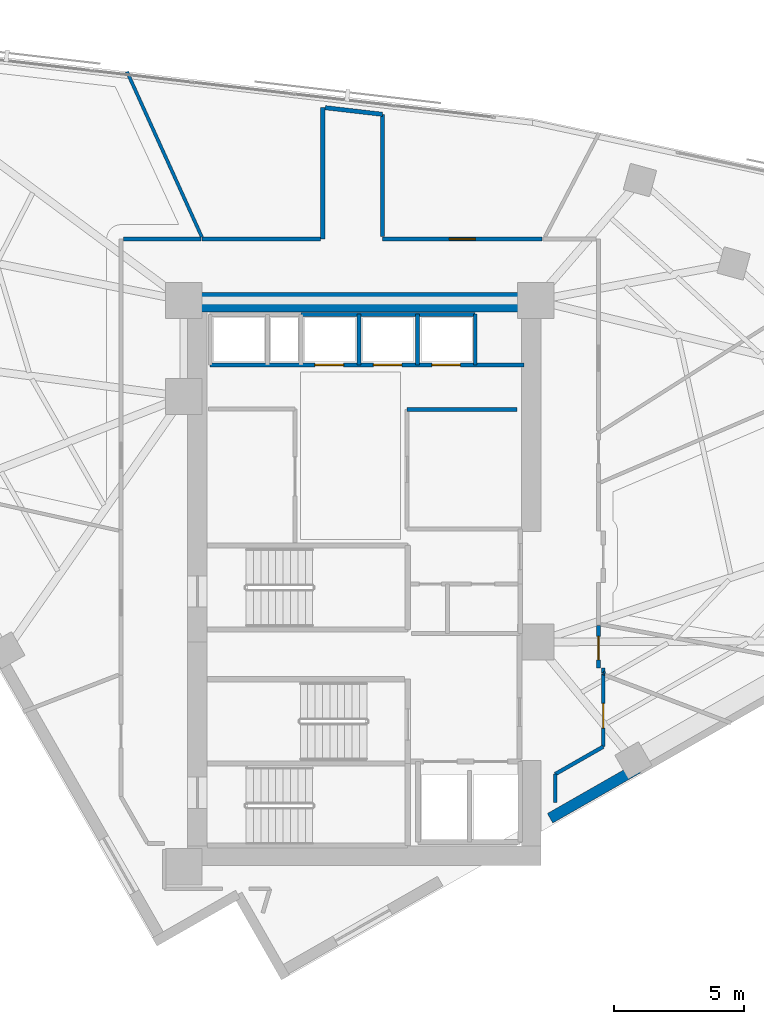
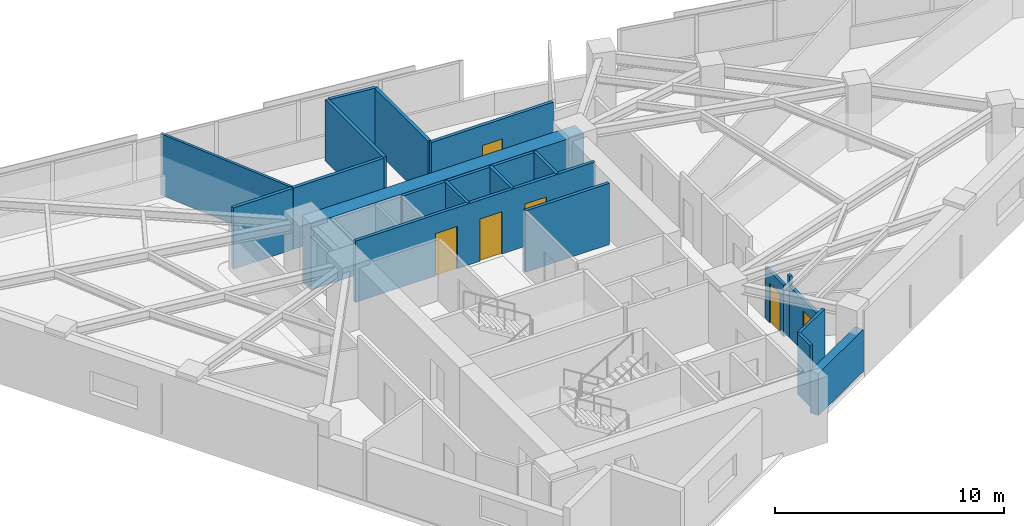
# One storey, part 10 of 13: 21 walls, 6 doors, 6 openings.
"""IFC4 building model written with IfcOpenShell, lengths in metres."""

from ifc_helpers import new_model, si_unit, direction, frame, frame_2d, origin, place, context, subcontext, project, spatial, rectangle, extrude, material, layer, layer_set, type_object, element, fill, save


model = new_model("IFC4")

# Units and contexts
model_context = context("Model", 3, precision=1e-05, world=origin(), true_north=direction((0.0, 1.0)))
body_context = subcontext(model_context, "Body", "Model", "MODEL_VIEW")
ifc_project = project(units=[si_unit("LENGTHUNIT", "METRE"), si_unit("AREAUNIT", "SQUARE_METRE"), si_unit("VOLUMEUNIT", "CUBIC_METRE"), si_unit("PLANEANGLEUNIT", "RADIAN"), si_unit("MASSUNIT", "GRAM", prefix="KILO")], contexts=[model_context])

# Site, building, storey
site_placement = place(None, origin())
site = spatial("IfcSite", under=ifc_project, at=site_placement, CompositionType="ELEMENT")
building_placement = place(site_placement, origin())
building = spatial("IfcBuilding", under=site, at=building_placement, Name="Narakoshi Arena Tower", CompositionType="ELEMENT")
storey_placement = place(building_placement, frame((0.0, 0.0, 225.5400390625)))
storey = spatial("IfcBuildingStorey", under=building, at=storey_placement, Name="L61", CompositionType="ELEMENT", Elevation=225.5400390625)

# Wall
ifc_material_1 = material(Name="Concrete C50/60", Category="concrete")
ifc_layer_1 = layer(ifc_material_1, 0.75)
ifc_layer_set_1 = layer_set([ifc_layer_1], Name="Concrete C50/60")
wall_type_1 = type_object("IfcWallType", Name="WL-CORE-750", PredefinedType="SHEAR", material=ifc_layer_set_1)
wall_1_placement = place(storey_placement, frame((72.0, 56.425048828125, -0.260009765625), z_axis=(0.0, 0.0, 1.0), x_axis=(1.0, 0.0, 0.0)))
element("IfcWall", 1, at=wall_1_placement, inside=storey, type_object=wall_type_1, Name="L61 Main Core Shear Wall CW-MN-N", PredefinedType="SHEAR", context=body_context, shape_type="SweptSolid", body=[
    extrude(rectangle(XDim=13.75, YDim=0.75, at=frame_2d((6.875, 0.0))), origin(), (0.0, 0.0, 1.0), 3.52001953125),
])

# Wall, opening, door
ifc_material_2 = material(Name="Gypsum plasterboard fire-rated partition")
ifc_layer_2 = layer(ifc_material_2, 0.1650390625)
ifc_layer_set_2 = layer_set([ifc_layer_2], Name="Gypsum plasterboard fire-rated partition")
wall_type_2 = type_object("IfcWallType", Name="WL-CORR-165", PredefinedType="PARTITIONING", material=ifc_layer_set_2)
wall_2_placement = place(storey_placement, frame((85.7958984375, 58.86669921875, 0.0), z_axis=(0.0, 0.0, 1.0), x_axis=(-1.0, 0.0, 0.0)))
wall_2 = element("IfcWall", 2, at=wall_2_placement, inside=storey, type_object=wall_type_2, Name="L61 Corridor Partition 08-1", PredefinedType="PARTITIONING", context=body_context, shape_type="SweptSolid", body=[
    extrude(rectangle(XDim=6.14599609375, YDim=0.1650390625, at=frame_2d((3.072998046875, 0.0))), origin(), (0.0, 0.0, 1.0), 3.260009765625),
])
opening_1_placement = place(wall_2_placement, frame((2.572998046875, 0.0, 0.0)))
opening_1 = element("IfcOpeningElement", 3, at=opening_1_placement, cuts=wall_2, Name="Opening D-06", PredefinedType="OPENING", context=body_context, shape_type="SweptSolid", body=[
    extrude(rectangle(XDim=1.0, YDim=2.199951171875, at=frame_2d((0.5, 1.10009765625))), frame((0.0, 0.092529296875, 0.0), z_axis=(0.0, -1.0, 0.0), x_axis=(1.0, 0.0, 0.0)), (0.0, 0.0, 1.0), 0.18505859375),
])
ifc_material_3 = material(Name="Stained oak solid-core timber", Category="wood")
door_type_1 = type_object("IfcDoorType", Name="DR-OFF-1000", OperationType="NOTDEFINED", PredefinedType="DOOR", material=ifc_material_3)
door_1_placement = place(opening_1_placement, frame((1.0, 0.0, 0.0), z_axis=(0.0, 0.0, 1.0), x_axis=(-1.0, 0.0, 0.0)))
door_1 = element("IfcDoor", 4, at=door_1_placement, inside=storey, type_object=door_type_1, Name="DR-L61-022", OperationType="SINGLE_SWING_RIGHT", OverallHeight=2.199951171875, OverallWidth=1.0, PredefinedType="DOOR", context=body_context, shape_type="SweptSolid", body=[
    extrude(rectangle(XDim=1.0, YDim=2.199951171875, at=frame_2d((0.5, 1.10009765625))), frame((0.0, 0.02490234375, 0.0), z_axis=(0.0, -1.0, 0.0), x_axis=(1.0, 0.0, 0.0)), (0.0, 0.0, 1.0), 0.050048828125),
])
fill(opening_1, door_1)

# Walls
wall_3_placement = place(storey_placement, frame((77.35009765625, 63.930908203125, 0.0), z_axis=(0.0, 0.0, 1.0), x_axis=(0.0, -1.0, 0.0)))
element("IfcWall", 5, at=wall_3_placement, inside=storey, type_object=wall_type_2, Name="L61 Corridor Partition 08-2", PredefinedType="PARTITIONING", context=body_context, shape_type="SweptSolid", body=[
    extrude(rectangle(XDim=5.064208984375, YDim=0.1650390625, at=frame_2d((2.5322265625, 0.0))), origin(), (0.0, 0.0, 1.0), 3.260009765625),
])
wall_4_placement = place(storey_placement, frame((79.64990234375, 58.961181640625, 0.0), z_axis=(0.0, 0.0, 1.0), x_axis=(0.0, 1.0, 0.0)))
element("IfcWall", 6, at=wall_4_placement, inside=storey, type_object=wall_type_2, Name="L61 Corridor Partition 08-3", PredefinedType="PARTITIONING", context=body_context, shape_type="SweptSolid", body=[
    extrude(rectangle(XDim=4.703369140625, YDim=0.1650390625, at=frame_2d((2.3515625, 0.0))), origin(), (0.0, 0.0, 1.0), 3.260009765625),
])
wall_5_placement = place(storey_placement, frame((77.255615234375, 58.86669921875, 0.0), z_axis=(0.0, 0.0, 1.0), x_axis=(-1.0, 0.0, 0.0)))
element("IfcWall", 7, at=wall_5_placement, inside=storey, type_object=wall_type_2, Name="L61 Corridor Partition 08-4", PredefinedType="PARTITIONING", context=body_context, shape_type="SweptSolid", body=[
    extrude(rectangle(XDim=4.55859375, YDim=0.1650390625, at=frame_2d((2.279296875, 0.0))), origin(), (0.0, 0.0, 1.0), 3.260009765625),
])
wall_6_placement = place(storey_placement, frame((79.64990234375, 63.66455078125, 0.0), z_axis=(0.0, 0.0, 1.0), x_axis=(-0.993362136032, 0.115028981987, 0.0)))
element("IfcWall", 8, at=wall_6_placement, inside=storey, type_object=wall_type_2, Name="L61 Corridor Partition 08-5", PredefinedType="PARTITIONING", context=body_context, shape_type="SweptSolid", body=[
    extrude(rectangle(XDim=2.219970703125, YDim=0.1650390625, at=frame_2d((1.10986328125, 0.0))), origin(), (0.0, 0.0, 1.0), 3.260009765625),
])
wall_7_placement = place(storey_placement, frame((72.670654296875, 58.86669921875, 0.0), z_axis=(0.0, 0.0, 1.0), x_axis=(-1.0, 0.0, 0.0)))
element("IfcWall", 9, at=wall_7_placement, inside=storey, type_object=wall_type_2, Name="L61 Corridor Partition 09-2", PredefinedType="PARTITIONING", context=body_context, shape_type="SweptSolid", body=[
    extrude(rectangle(XDim=2.992919921875, YDim=0.1650390625, at=frame_2d((1.49658203125, 0.0))), origin(), (0.0, 0.0, 1.0), 3.260009765625),
])
ifc_layer_3 = layer(ifc_material_2, 0.125)
ifc_layer_set_3 = layer_set([ifc_layer_3], Name="Gypsum plasterboard fire-rated partition")
wall_type_3 = type_object("IfcWallType", Name="WL-PART-125", PredefinedType="PARTITIONING", material=ifc_layer_set_3)
wall_8_placement = place(storey_placement, frame((72.697021484375, 58.94091796875, 0.0), z_axis=(0.0, 0.0, 1.0), x_axis=(-0.412591789652, 0.910916030769, 0.0)))
element("IfcWall", 10, at=wall_8_placement, inside=storey, type_object=wall_type_3, Name="L61 Inter-Room Partition 08-09", PredefinedType="PARTITIONING", context=body_context, shape_type="SweptSolid", body=[
    extrude(rectangle(XDim=6.98828125, YDim=0.125, at=frame_2d((3.494140625, 0.0))), origin(), (0.0, 0.0, 1.0), 3.260009765625),
])
ifc_material_4 = material(Name="Precast concrete C45/55", Category="concrete")
ifc_layer_4 = layer(ifc_material_4, 0.419921875)
ifc_layer_set_4 = layer_set([ifc_layer_4], Name="Precast concrete C45/55")
wall_type_4 = type_object("IfcWallType", Name="WL-POD-420", PredefinedType="SOLIDWALL", material=ifc_layer_set_4)
wall_9_placement = place(storey_placement, frame((86.10009765625, 36.567626953125, 0.0), z_axis=(0.0, 0.0, 1.0), x_axis=(0.868192956745, 0.496226752461, 0.0)))
element("IfcWall", 11, at=wall_9_placement, inside=storey, type_object=wall_type_4, Name="L61 Architectural Concrete Facade Wall LEGA-2", PredefinedType="SOLIDWALL", context=body_context, shape_type="SweptSolid", body=[
    extrude(rectangle(XDim=3.89208984375, YDim=0.419921875, at=frame_2d((1.946044921875, 0.0))), origin(), (0.0, 0.0, 1.0), 2.244873046875),
])
ifc_material_5 = material(Name="Concrete C40/50", Category="concrete")
ifc_layer_5 = layer(ifc_material_5, 0.280029296875)
ifc_layer_set_5 = layer_set([ifc_layer_5], Name="Concrete C40/50")
wall_type_5 = type_object("IfcWallType", Name="WL-RISER-280", PredefinedType="PLUMBINGWALL", material=ifc_layer_set_5)
for number, where, z_axis, x_axis, name in (
    (12, (78.75, 54.02001953125, 0.0), (0.0, 0.0, 1.0), (0.0, 1.0, 0.0), "L61 Core Wall HR-D1"),
    (13, (81.0, 54.02001953125, 0.0), (0.0, 0.0, 1.0), (0.0, 1.0, 0.0), "L61 Core Wall HR-D2"),
):
    element("IfcWall", number, at=place(storey_placement, frame(where, z_axis=z_axis, x_axis=x_axis)), inside=storey, type_object=wall_type_5, Name=name, PredefinedType="PLUMBINGWALL", context=body_context, shape_type="SweptSolid", body=[
        extrude(rectangle(XDim=1.9599609375, YDim=0.14990234375, at=frame_2d((0.97998046875, 0.0))), origin(), (0.0, 0.0, 1.0), 3.260009765625),
    ])
ifc_layer_6 = layer(ifc_material_1, 0.35009765625)
ifc_layer_set_6 = layer_set([ifc_layer_6], Name="Concrete C50/60")
wall_type_6 = type_object("IfcWallType", Name="WL-SHAFT-350", PredefinedType="SOLIDWALL", material=ifc_layer_set_6)
wall_10_placement = place(storey_placement, frame((80.60009765625, 52.300048828125, 0.0), z_axis=(0.0, 0.0, 1.0), x_axis=(1.0, 0.0, 0.0)))
element("IfcWall", 14, at=wall_10_placement, inside=storey, type_object=wall_type_6, Name="L61 Core Wall MR-N", PredefinedType="SOLIDWALL", context=body_context, shape_type="SweptSolid", body=[
    extrude(rectangle(XDim=4.219970703125, YDim=0.159912109375, at=frame_2d((2.10986328125, 0.0))), origin(), (0.0, 0.0, 1.0), 3.260009765625),
])

# Wall, openings, doors
wall_11_placement = place(storey_placement, frame((73.02001953125, 54.02001953125, 0.0), z_axis=(0.0, 0.0, 1.0), x_axis=(1.0, 0.0, 0.0)))
wall_11 = element("IfcWall", 15, at=wall_11_placement, inside=storey, type_object=wall_type_6, Name="L61 Core Wall NSHF-S", PredefinedType="SOLIDWALL", context=body_context, shape_type="SweptSolid", body=[
    extrude(rectangle(XDim=12.080078125, YDim=0.159912109375, at=frame_2d((6.0400390625, 0.0))), origin(), (0.0, 0.0, 1.0), 3.260009765625),
])
opening_2_placement = place(wall_11_placement, frame((4.030029296875, 0.0, 0.0)))
opening_2 = element("IfcOpeningElement", 16, at=opening_2_placement, cuts=wall_11, Name="Opening LD-01", PredefinedType="OPENING", context=body_context, shape_type="SweptSolid", body=[
    extrude(rectangle(XDim=1.10009765625, YDim=2.25, at=frame_2d((0.550048828125, 1.125))), frame((0.0, 0.08984375, 0.0), z_axis=(0.0, -1.0, 0.0), x_axis=(1.0, 0.0, 0.0)), (0.0, 0.0, 1.0), 0.179931640625),
])
opening_3_placement = place(wall_11_placement, frame((6.280029296875, 0.0, 0.0)))
opening_3 = element("IfcOpeningElement", 17, at=opening_3_placement, cuts=wall_11, Name="Opening LD-01", PredefinedType="OPENING", context=body_context, shape_type="SweptSolid", body=[
    extrude(rectangle(XDim=1.10009765625, YDim=2.25, at=frame_2d((0.550048828125, 1.125))), frame((0.0, 0.08984375, 0.0), z_axis=(0.0, -1.0, 0.0), x_axis=(1.0, 0.0, 0.0)), (0.0, 0.0, 1.0), 0.179931640625),
])
opening_4_placement = place(wall_11_placement, frame((8.530029296875, 0.0, 0.0)))
opening_4 = element("IfcOpeningElement", 18, at=opening_4_placement, cuts=wall_11, Name="Opening LD-01", PredefinedType="OPENING", context=body_context, shape_type="SweptSolid", body=[
    extrude(rectangle(XDim=1.10009765625, YDim=2.25, at=frame_2d((0.550048828125, 1.125))), frame((0.0, 0.08984375, 0.0), z_axis=(0.0, -1.0, 0.0), x_axis=(1.0, 0.0, 0.0)), (0.0, 0.0, 1.0), 0.179931640625),
])
ifc_material_6 = material(Name="Brushed bronze stainless steel", Category="steel")
door_type_2 = type_object("IfcDoorType", Name="DR-LFT-1100", OperationType="DOUBLE_DOOR_SLIDING", PredefinedType="DOOR", material=ifc_material_6)
door_2_placement = place(opening_2_placement, origin())
door_2 = element("IfcDoor", 19, at=door_2_placement, inside=storey, type_object=door_type_2, Name="DR-L61-012", OperationType="DOUBLE_DOOR_SLIDING", OverallHeight=2.25, OverallWidth=1.10009765625, PredefinedType="DOOR", context=body_context, shape_type="SweptSolid", body=[
    extrude(rectangle(XDim=1.10009765625, YDim=2.25, at=frame_2d((0.550048828125, 1.125))), frame((0.0, 0.02490234375, 0.0), z_axis=(0.0, -1.0, 0.0), x_axis=(1.0, 0.0, 0.0)), (0.0, 0.0, 1.0), 0.050048828125),
])
fill(opening_2, door_2)
door_3_placement = place(opening_3_placement, origin())
door_3 = element("IfcDoor", 20, at=door_3_placement, inside=storey, type_object=door_type_2, Name="DR-L61-013", OperationType="DOUBLE_DOOR_SLIDING", OverallHeight=2.25, OverallWidth=1.10009765625, PredefinedType="DOOR", context=body_context, shape_type="SweptSolid", body=[
    extrude(rectangle(XDim=1.10009765625, YDim=2.25, at=frame_2d((0.550048828125, 1.125))), frame((0.0, 0.02490234375, 0.0), z_axis=(0.0, -1.0, 0.0), x_axis=(1.0, 0.0, 0.0)), (0.0, 0.0, 1.0), 0.050048828125),
])
fill(opening_3, door_3)
door_4_placement = place(opening_4_placement, origin())
door_4 = element("IfcDoor", 21, at=door_4_placement, inside=storey, type_object=door_type_2, Name="DR-L61-014", OperationType="DOUBLE_DOOR_SLIDING", OverallHeight=2.25, OverallWidth=1.10009765625, PredefinedType="DOOR", context=body_context, shape_type="SweptSolid", body=[
    extrude(rectangle(XDim=1.10009765625, YDim=2.25, at=frame_2d((0.550048828125, 1.125))), frame((0.0, 0.02490234375, 0.0), z_axis=(0.0, -1.0, 0.0), x_axis=(1.0, 0.0, 0.0)), (0.0, 0.0, 1.0), 0.050048828125),
])
fill(opening_4, door_4)

# Walls
wall_12_placement = place(storey_placement, frame((83.219970703125, 54.02001953125, 0.0), z_axis=(0.0, 0.0, 1.0), x_axis=(0.0, 1.0, 0.0)))
element("IfcWall", 22, at=wall_12_placement, inside=storey, type_object=wall_type_6, Name="L61 Core Wall HR-E", PredefinedType="SOLIDWALL", context=body_context, shape_type="SweptSolid", body=[
    extrude(rectangle(XDim=1.9599609375, YDim=0.14990234375, at=frame_2d((0.97998046875, 0.0))), origin(), (0.0, 0.0, 1.0), 3.260009765625),
])
wall_13_placement = place(storey_placement, frame((76.52001953125, 55.9599609375, 0.0), z_axis=(0.0, 0.0, 1.0), x_axis=(1.0, 0.0, 0.0)))
element("IfcWall", 23, at=wall_13_placement, inside=storey, type_object=wall_type_6, Name="L61 Core Wall HR-N", PredefinedType="SOLIDWALL", context=body_context, shape_type="SweptSolid", body=[
    extrude(rectangle(XDim=6.699951171875, YDim=0.14990234375, at=frame_2d((3.35009765625, 0.0))), origin(), (0.0, 0.0, 1.0), 3.260009765625),
])

# Wall, opening, door
ifc_material_7 = material(Name="Moisture-resistant cement-board partition")
ifc_layer_7 = layer(ifc_material_7, 0.14501953125)
ifc_layer_set_7 = layer_set([ifc_layer_7], Name="Moisture-resistant cement-board partition")
wall_type_7 = type_object("IfcWallType", Name="WL-WET-145", PredefinedType="PARTITIONING", material=ifc_layer_set_7)
wall_14_placement = place(storey_placement, frame((88.14990234375, 39.322998046875, 0.0), z_axis=(0.0, 0.0, 1.0), x_axis=(0.0, 1.0, 0.0)))
wall_14 = element("IfcWall", 24, at=wall_14_placement, inside=storey, type_object=wall_type_7, Name="L61 Corridor Partition 03-1", PredefinedType="PARTITIONING", context=body_context, shape_type="SweptSolid", body=[
    extrude(rectangle(XDim=2.814697265625, YDim=0.14501953125, at=frame_2d((1.4072265625, 0.0))), origin(), (0.0, 0.0, 1.0), 2.744873046875),
])
opening_5_placement = place(wall_14_placement, frame((0.712646484375, 0.0, 0.0)))
opening_5 = element("IfcOpeningElement", 25, at=opening_5_placement, cuts=wall_14, Name="Opening D-07", PredefinedType="OPENING", context=body_context, shape_type="SweptSolid", body=[
    extrude(rectangle(XDim=0.949951171875, YDim=2.14990234375, at=frame_2d((0.47509765625, 1.074951171875))), frame((0.0, 0.08251953125, 0.0), z_axis=(0.0, -1.0, 0.0), x_axis=(1.0, 0.0, 0.0)), (0.0, 0.0, 1.0), 0.1650390625),
])
door_type_3 = type_object("IfcDoorType", Name="DR-ACC-950", OperationType="NOTDEFINED", PredefinedType="DOOR", material=ifc_material_3)
door_5_placement = place(opening_5_placement, frame((0.949951171875, 0.0, 0.0), z_axis=(0.0, 0.0, 1.0), x_axis=(-1.0, 0.0, 0.0)))
door_5 = element("IfcDoor", 26, at=door_5_placement, inside=storey, type_object=door_type_3, Name="DR-L61-017", OperationType="SINGLE_SWING_LEFT", OverallHeight=2.14990234375, OverallWidth=0.949951171875, PredefinedType="DOOR", context=body_context, shape_type="SweptSolid", body=[
    extrude(rectangle(XDim=0.949951171875, YDim=2.14990234375, at=frame_2d((0.47509765625, 1.074951171875))), frame((0.0, 0.02490234375, 0.0), z_axis=(0.0, -1.0, 0.0), x_axis=(1.0, 0.0, 0.0)), (0.0, 0.0, 1.0), 0.050048828125),
])
fill(opening_5, door_5)

# Wall
wall_15_placement = place(storey_placement, frame((86.300048828125, 38.265625, 0.0), z_axis=(0.0, 0.0, 1.0), x_axis=(0.868179674817, 0.496249989657, 0.0)))
element("IfcWall", 27, at=wall_15_placement, inside=storey, type_object=wall_type_7, Name="L61 Corridor Partition 03-2", PredefinedType="PARTITIONING", context=body_context, shape_type="SweptSolid", body=[
    extrude(rectangle(XDim=2.130615234375, YDim=0.14501953125, at=frame_2d((1.0654296875, 0.0))), origin(), (0.0, 0.0, 1.0), 3.260009765625),
])

# Wall, opening, door
wall_16_placement = place(storey_placement, frame((87.966796875, 42.35009765625, 0.0), z_axis=(0.0, 0.0, 1.0), x_axis=(0.0, 1.0, 0.0)))
wall_16 = element("IfcWall", 28, at=wall_16_placement, inside=storey, type_object=wall_type_7, Name="L61 Corridor Partition 05-1", PredefinedType="PARTITIONING", context=body_context, shape_type="SweptSolid", body=[
    extrude(rectangle(XDim=1.6376953125, YDim=0.14501953125, at=frame_2d((0.81884765625, 0.0))), origin(), (0.0, 0.0, 1.0), 2.744873046875),
])
opening_6_placement = place(wall_16_placement, frame((0.318115234375, 0.0, 0.0)))
opening_6 = element("IfcOpeningElement", 29, at=opening_6_placement, cuts=wall_16, Name="Opening D-08", PredefinedType="OPENING", context=body_context, shape_type="SweptSolid", body=[
    extrude(rectangle(XDim=0.89990234375, YDim=2.10009765625, at=frame_2d((0.449951171875, 1.050048828125))), frame((0.0, 0.08251953125, 0.0), z_axis=(0.0, -1.0, 0.0), x_axis=(1.0, 0.0, 0.0)), (0.0, 0.0, 1.0), 0.1650390625),
])
ifc_material_8 = material(Name="Moisture-resistant laminate timber", Category="wood")
door_type_4 = type_object("IfcDoorType", Name="DR-WC-900", OperationType="NOTDEFINED", PredefinedType="DOOR", material=ifc_material_8)
door_6_placement = place(opening_6_placement, frame((0.89990234375, 0.0, 0.0), z_axis=(0.0, 0.0, 1.0), x_axis=(-1.0, 0.0, 0.0)))
door_6 = element("IfcDoor", 30, at=door_6_placement, inside=storey, type_object=door_type_4, Name="DR-L61-019", OperationType="SINGLE_SWING_RIGHT", OverallHeight=2.10009765625, OverallWidth=0.89990234375, PredefinedType="DOOR", context=body_context, shape_type="SweptSolid", body=[
    extrude(rectangle(XDim=0.89990234375, YDim=2.10009765625, at=frame_2d((0.449951171875, 1.050048828125))), frame((0.0, 0.02490234375, 0.0), z_axis=(0.0, -1.0, 0.0), x_axis=(1.0, 0.0, 0.0)), (0.0, 0.0, 1.0), 0.050048828125),
])
fill(opening_6, door_6)

# Walls
wall_17_placement = place(storey_placement, frame((88.14990234375, 42.163330078125, 0.0), z_axis=(0.0, 0.0, 1.0), x_axis=(0.0, 1.0, 0.0)))
element("IfcWall", 31, at=wall_17_placement, inside=storey, type_object=wall_type_7, Name="L61 Corridor Partition 05-2", PredefinedType="PARTITIONING", context=body_context, shape_type="SweptSolid", body=[
    extrude(rectangle(XDim=0.186767578125, YDim=0.14501953125, at=frame_2d((0.09326171875, 0.0))), origin(), (0.0, 0.0, 1.0), 3.260009765625),
])
wall_18_placement = place(storey_placement, frame((88.2099609375, 42.141357421875, 0.0), z_axis=(0.0, 0.0, 1.0), x_axis=(-0.93912285212, 0.343581531264, 0.0)))
element("IfcWall", 32, at=wall_18_placement, inside=storey, type_object=wall_type_7, Name="L61 Corridor Partition 05-3", PredefinedType="PARTITIONING", context=body_context, shape_type="SweptSolid", body=[
    extrude(rectangle(XDim=0.06396484375, YDim=0.14501953125, at=frame_2d((0.031982421875, 0.0))), origin(), (0.0, 0.0, 1.0), 2.844970703125),
])
wall_19_placement = place(storey_placement, frame((86.300048828125, 37.17724609375, 0.0), z_axis=(0.0, 0.0, 1.0), x_axis=(0.0, 1.0, 0.0)))
element("IfcWall", 33, at=wall_19_placement, inside=storey, type_object=wall_type_7, Name="L61 Room Enclosure Partition 03-1", PredefinedType="PARTITIONING", context=body_context, shape_type="SweptSolid", body=[
    extrude(rectangle(XDim=1.08837890625, YDim=0.14501953125, at=frame_2d((0.544189453125, 0.0))), origin(), (0.0, 0.0, 1.0), 3.260009765625),
])

save(model, "model.ifc")
